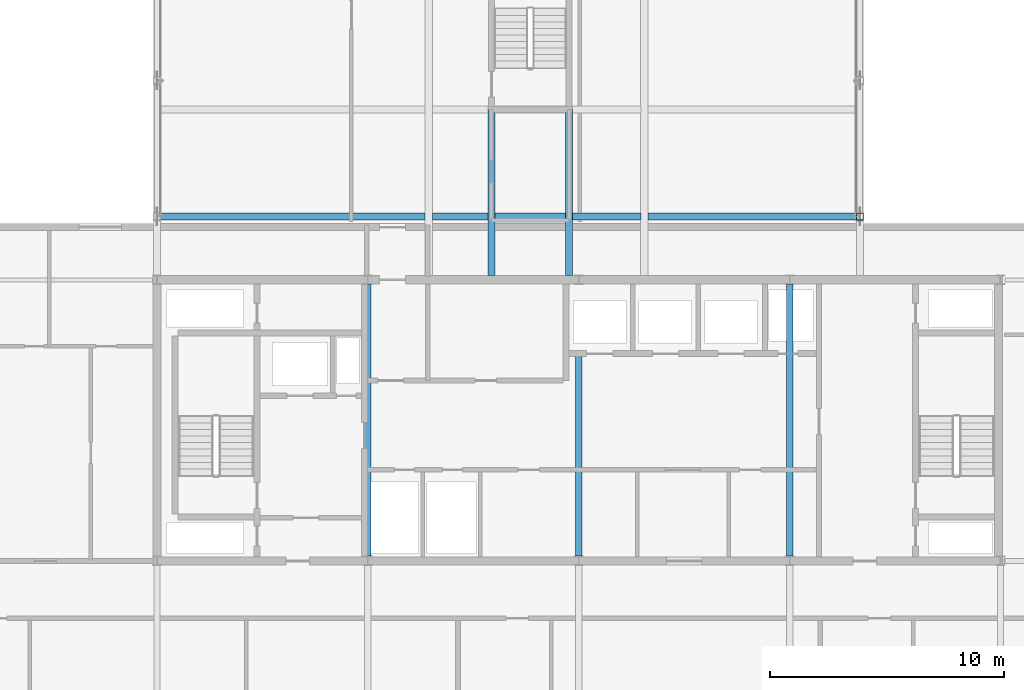
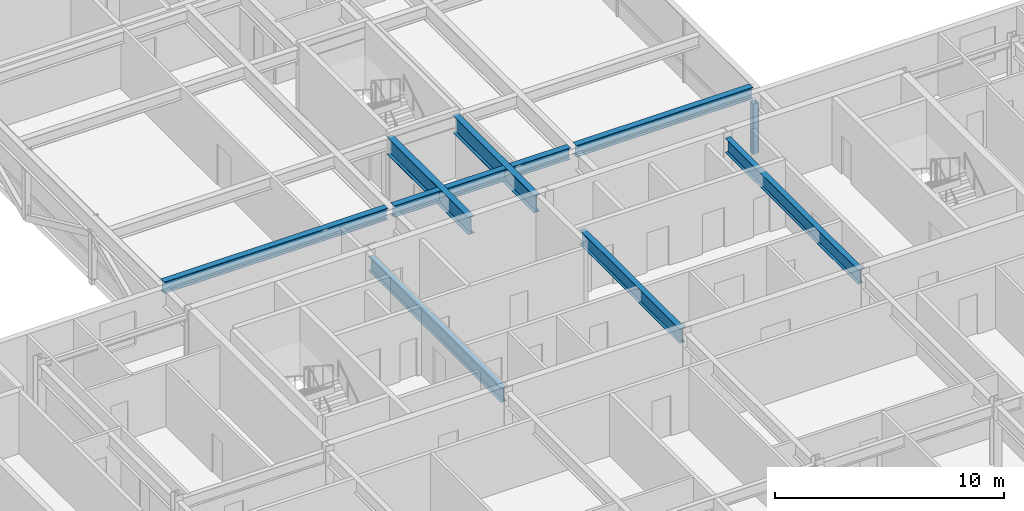
# One storey, part 7 of 36: 10 beams, 1 member.
"""IFC4 building model written with IfcOpenShell, lengths in metres."""

from ifc_helpers import new_model, si_unit, direction, frame, origin, origin_2d, place, context, subcontext, project, spatial, hollow_rectangle, i_section, extrude, material, material_profile, profile_set, type_object, element, save


model = new_model("IFC4")

# Units and contexts
model_context = context("Model", 3, precision=1e-05, world=origin(), true_north=direction((0.0, 1.0)))
body_context = subcontext(model_context, "Body", "Model", "MODEL_VIEW")
ifc_project = project(units=[si_unit("LENGTHUNIT", "METRE"), si_unit("AREAUNIT", "SQUARE_METRE"), si_unit("VOLUMEUNIT", "CUBIC_METRE"), si_unit("PLANEANGLEUNIT", "RADIAN"), si_unit("MASSUNIT", "GRAM", prefix="KILO")], contexts=[model_context])

# Site, building, storey
site_placement = place(None, origin())
site = spatial("IfcSite", under=ifc_project, at=site_placement, CompositionType="ELEMENT")
building_placement = place(site_placement, origin())
building = spatial("IfcBuilding", under=site, at=building_placement, Name="Korimba Cascade Residences", CompositionType="ELEMENT")
storey_placement = place(building_placement, frame((0.0, 0.0, 142.89990234375)))
storey = spatial("IfcBuildingStorey", under=building, at=storey_placement, Name="L41", CompositionType="ELEMENT", Elevation=142.89990234375)

# Beams
ifc_material_1 = material(Name="Steel S355", Category="steel")
ifc_material_profile_1 = material_profile(ifc_material_1, i_section(OverallWidth=0.30712890625, OverallDepth=0.6201171875, WebThickness=0.01416015625, FlangeThickness=0.023681640625, FilletRadius=0.0166015625, at=origin_2d()), Name="Steel S355")
ifc_profile_set_1 = profile_set([ifc_material_profile_1], Name="Steel S355")
beam_type_1 = type_object("IfcBeamType", Name="BM-STL-UB610A", PredefinedType="BEAM", material=ifc_profile_set_1)
beam_1_placement = place(storey_placement, frame((82.251953125, 33.10009765625, 3.0), z_axis=(1.0, 0.0, 0.0), x_axis=(0.0, 1.0, 0.0)))
element("IfcBeam", 1, at=beam_1_placement, inside=storey, type_object=beam_type_1, Name="L41 Mid-Bridge Cross Beam 33.1", PredefinedType="BEAM", context=body_context, shape_type="SweptSolid", body=[
    extrude(i_section(OverallWidth=0.30712890625, OverallDepth=0.6201171875, WebThickness=0.01416015625, FlangeThickness=0.023681640625, FilletRadius=0.0166015625, at=origin_2d()), origin(), (0.0, 0.0, 1.0), 11.296142578125),
])
beam_2_placement = place(storey_placement, frame((93.85205078125, 33.10009765625, 3.0), z_axis=(1.0, 0.0, 0.0), x_axis=(0.0, 1.0, 0.0)))
element("IfcBeam", 2, at=beam_2_placement, inside=storey, type_object=beam_type_1, Name="L41 Mid-Bridge Cross Beam 33.2", PredefinedType="BEAM", context=body_context, shape_type="SweptSolid", body=[
    extrude(i_section(OverallWidth=0.30712890625, OverallDepth=0.6201171875, WebThickness=0.01416015625, FlangeThickness=0.023681640625, FilletRadius=0.0166015625, at=origin_2d()), origin(), (0.0, 0.0, 1.0), 2.370849609375),
])
beam_3_placement = place(storey_placement, frame((96.527099609375, 33.10009765625, 3.0), z_axis=(1.0, 0.0, 0.0), x_axis=(0.0, 1.0, 0.0)))
element("IfcBeam", 3, at=beam_3_placement, inside=storey, type_object=beam_type_1, Name="L41 Mid-Bridge Cross Beam 33.3", PredefinedType="BEAM", context=body_context, shape_type="SweptSolid", body=[
    extrude(i_section(OverallWidth=0.30712890625, OverallDepth=0.6201171875, WebThickness=0.01416015625, FlangeThickness=0.023681640625, FilletRadius=0.0166015625, at=origin_2d()), origin(), (0.0, 0.0, 1.0), 3.005859375),
])
beam_4_placement = place(storey_placement, frame((99.8369140625, 33.10009765625, 3.0), z_axis=(1.0, 0.0, 0.0), x_axis=(0.0, 1.0, 0.0)))
element("IfcBeam", 4, at=beam_4_placement, inside=storey, type_object=beam_type_1, Name="L41 Mid-Bridge Cross Beam 33.4", PredefinedType="BEAM", context=body_context, shape_type="SweptSolid", body=[
    extrude(i_section(OverallWidth=0.30712890625, OverallDepth=0.6201171875, WebThickness=0.01416015625, FlangeThickness=0.023681640625, FilletRadius=0.0166015625, at=origin_2d()), origin(), (0.0, 0.0, 1.0), 2.9111328125),
])
beam_5_placement = place(storey_placement, frame((103.052001953125, 33.10009765625, 3.0), z_axis=(1.0, 0.0, 0.0), x_axis=(0.0, 1.0, 0.0)))
element("IfcBeam", 5, at=beam_5_placement, inside=storey, type_object=beam_type_1, Name="L41 Mid-Bridge Cross Beam 33.5", PredefinedType="BEAM", context=body_context, shape_type="SweptSolid", body=[
    extrude(i_section(OverallWidth=0.30712890625, OverallDepth=0.6201171875, WebThickness=0.01416015625, FlangeThickness=0.023681640625, FilletRadius=0.0166015625, at=origin_2d()), origin(), (0.0, 0.0, 1.0), 8.89599609375),
])
ifc_material_profile_2 = material_profile(ifc_material_1, i_section(OverallWidth=0.26806640625, OverallDepth=0.769775390625, WebThickness=0.015625, FlangeThickness=0.025390625, FilletRadius=0.0166015625, at=origin_2d()), Name="Steel S355")
ifc_profile_set_2 = profile_set([ifc_material_profile_2], Name="Steel S355")
beam_type_2 = type_object("IfcBeamType", Name="BM-STL-UB762", PredefinedType="BEAM", material=ifc_profile_set_2)
beam_6_placement = place(storey_placement, frame((91.10009765625, 18.603271484375, 2.92529296875), z_axis=(0.0, 1.0, 0.0), x_axis=(-1.0, 0.0, 0.0)))
element("IfcBeam", 6, at=beam_6_placement, inside=storey, type_object=beam_type_2, Name="L41 T2 N-S Girder X3 Seg 3", PredefinedType="BEAM", context=body_context, shape_type="SweptSolid", body=[
    extrude(i_section(OverallWidth=0.26806640625, OverallDepth=0.769775390625, WebThickness=0.015625, FlangeThickness=0.025390625, FilletRadius=0.0166015625, at=origin_2d()), origin(), (0.0, 0.0, 1.0), 11.593505859375),
])
beam_7_placement = place(storey_placement, frame((100.10009765625, 18.603271484375, 2.92529296875), z_axis=(0.0, 1.0, 0.0), x_axis=(-1.0, 0.0, 0.0)))
element("IfcBeam", 7, at=beam_7_placement, inside=storey, type_object=beam_type_2, Name="L41 T2 N-S Girder X4 Seg 3", PredefinedType="BEAM", context=body_context, shape_type="SweptSolid", body=[
    extrude(i_section(OverallWidth=0.26806640625, OverallDepth=0.769775390625, WebThickness=0.015625, FlangeThickness=0.025390625, FilletRadius=0.0166015625, at=origin_2d()), origin(), (0.0, 0.0, 1.0), 8.73681640625),
])
beam_8_placement = place(storey_placement, frame((109.10009765625, 18.603271484375, 2.92529296875), z_axis=(0.0, 1.0, 0.0), x_axis=(-1.0, 0.0, 0.0)))
element("IfcBeam", 8, at=beam_8_placement, inside=storey, type_object=beam_type_2, Name="L41 T2 N-S Girder X5 Seg 3", PredefinedType="BEAM", context=body_context, shape_type="SweptSolid", body=[
    extrude(i_section(OverallWidth=0.26806640625, OverallDepth=0.769775390625, WebThickness=0.015625, FlangeThickness=0.025390625, FilletRadius=0.0166015625, at=origin_2d()), origin(), (0.0, 0.0, 1.0), 11.593505859375),
])
ifc_material_2 = material(Name="Steel S460", Category="steel")
ifc_material_profile_3 = material_profile(ifc_material_2, i_section(OverallWidth=0.3076171875, OverallDepth=0.926513671875, WebThickness=0.01953125, FlangeThickness=0.031982421875, FilletRadius=0.01904296875, at=origin_2d()), Name="Steel S460")
ifc_profile_set_3 = profile_set([ifc_material_profile_3], Name="Steel S460")
beam_type_3 = type_object("IfcBeamType", Name="BM-STL-UB914B", PredefinedType="BEAM", material=ifc_profile_set_3)
for number, where, z_axis, x_axis, name in (
    (9, (96.375, 30.574951171875, 2.8466796875), (0.0, 1.0, 0.0), (-1.0, 0.0, 0.0), "L41 Rigid Mid-Bridge Truss Chord 3"),
    (10, (99.68505859375, 30.574951171875, 2.8466796875), (0.0, 1.0, 0.0), (-1.0, 0.0, 0.0), "L41 Rigid Mid-Bridge Truss Chord 4"),
):
    element("IfcBeam", number, at=place(storey_placement, frame(where, z_axis=z_axis, x_axis=x_axis)), inside=storey, type_object=beam_type_3, Name=name, PredefinedType="BEAM", context=body_context, shape_type="SweptSolid", body=[
        extrude(i_section(OverallWidth=0.3076171875, OverallDepth=0.926513671875, WebThickness=0.01953125, FlangeThickness=0.031982421875, FilletRadius=0.01904296875, at=origin_2d()), origin(), (0.0, 0.0, 1.0), 7.10009765625),
    ])

# Member
ifc_material_profile_4 = material_profile(ifc_material_2, hollow_rectangle(XDim=0.300048828125, YDim=0.300048828125, WallThickness=0.012451171875, InnerFilletRadius=0.012451171875, OuterFilletRadius=0.02490234375, at=origin_2d()), Name="Steel S460")
ifc_profile_set_4 = profile_set([ifc_material_profile_4], Name="Steel S460")
member_type = type_object("IfcMemberType", Name="MEM-BRG-STR300", PredefinedType="STRUT", material=ifc_profile_set_4)
member_placement = place(storey_placement, frame((112.10009765625, 33.10009765625, -0.289794921875), z_axis=(0.0, 0.0, 1.0), x_axis=(1.0, 0.0, 0.0)))
element("IfcMember", 11, at=member_placement, inside=storey, type_object=member_type, Name="L41 Mid-Bridge Warren Web Post E1", PredefinedType="STRUT", context=body_context, shape_type="SweptSolid", body=[
    extrude(hollow_rectangle(XDim=0.300048828125, YDim=0.300048828125, WallThickness=0.012451171875, InnerFilletRadius=0.012451171875, OuterFilletRadius=0.02490234375, at=origin_2d()), origin(), (0.0, 0.0, 1.0), 2.67333984375),
])

save(model, "model.ifc")
